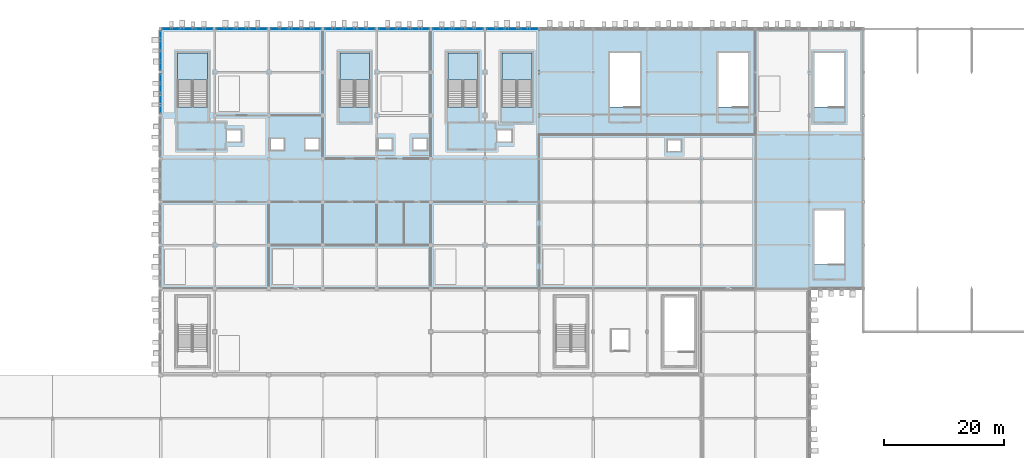
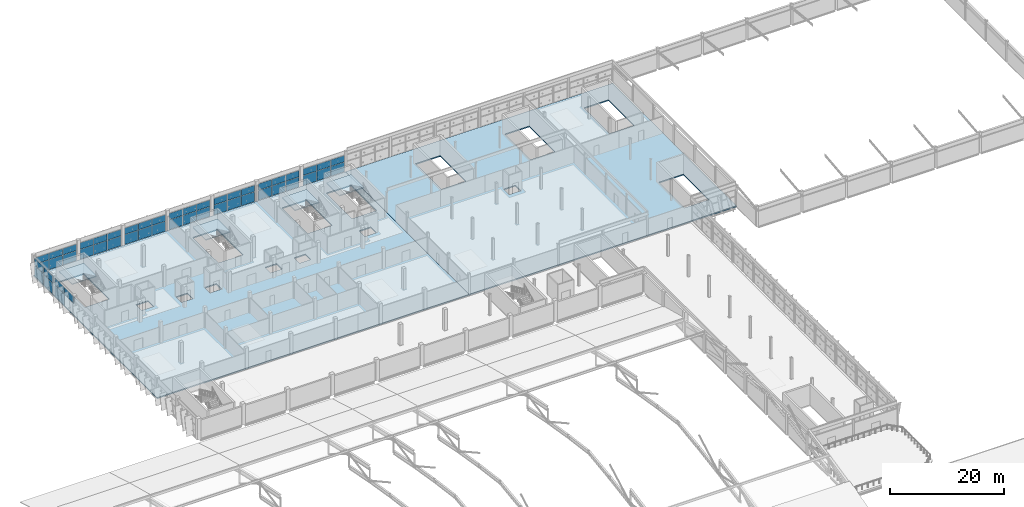
# One storey, part 78 of 124: 49 plates, 6 slabs, 13 elements without a shape of their own.
"""IFC4 building model written with IfcOpenShell, lengths in metres."""

from ifc_helpers import new_model, si_unit, direction, frame, origin, origin_2d, place, context, subcontext, project, spatial, polyline, rectangle, outline, extrude, material, layer, layer_set, type_object, element, aggregate, save


model = new_model("IFC4")

# Units and contexts
model_context = context("Model", 3, precision=1e-05, world=origin(), true_north=direction((0.0, 1.0)))
body_context = subcontext(model_context, "Body", "Model", "MODEL_VIEW")
ifc_project = project(units=[si_unit("LENGTHUNIT", "METRE"), si_unit("AREAUNIT", "SQUARE_METRE"), si_unit("VOLUMEUNIT", "CUBIC_METRE"), si_unit("PLANEANGLEUNIT", "RADIAN"), si_unit("MASSUNIT", "GRAM", prefix="KILO")], contexts=[model_context])

# Site, building, storey
site_placement = place(None, origin())
site = spatial("IfcSite", under=ifc_project, at=site_placement, CompositionType="ELEMENT")
building_placement = place(site_placement, origin())
building = spatial("IfcBuilding", under=site, at=building_placement, Name="Celestram Park Convention Centre", CompositionType="ELEMENT")
storey_placement = place(building_placement, frame((0.0, 0.0, 15.300048828125)))
storey = spatial("IfcBuildingStorey", under=building, at=storey_placement, Name="L03", CompositionType="ELEMENT", Elevation=15.300048828125)

# Curtain wall, plates
ifc_material_1 = material(Name="Anodised Aluminium Alloy 6063-T6", Category="aluminium")
ifc_layer_1 = layer(ifc_material_1, 0.179931640625)
ifc_layer_set_1 = layer_set([ifc_layer_1], Name="Anodised Aluminium Alloy 6063-T6")
curtain_wall_type_1 = type_object("IfcCurtainWallType", Name="ARC-CW-660X400", PredefinedType="NOTDEFINED", material=ifc_layer_set_1)
curtain_wall_1_placement = place(storey_placement, origin())
curtain_wall_1 = element("IfcCurtainWall", 1, at=curtain_wall_1_placement, inside=storey, type_object=curtain_wall_type_1, Name="Unitised curtain wall CU-L03-201", PredefinedType="NOTDEFINED")
ifc_material_2 = material(Name="Insulated Glazing Unit 28 mm", Category="glass")
ifc_layer_2 = layer(ifc_material_2, 0.028076171875)
ifc_layer_set_2 = layer_set([ifc_layer_2], Name="Insulated Glazing Unit 28 mm")
plate_type_1 = type_object("IfcPlateType", Name="ARC-CWP-IGU28", PredefinedType="CURTAIN_PANEL", material=ifc_layer_set_2)
plate_1_placement = place(storey_placement, frame((36.0, 153.165283203125, 2.43017578125), z_axis=(0.0, 0.0, 1.0), x_axis=(0.0, 1.0, 0.0)))
plate_1 = element("IfcPlate", 2, at=plate_1_placement, type_object=plate_type_1, Name="CW-66X40 panel 1.2", PredefinedType="CURTAIN_PANEL", context=body_context, shape_type="SweptSolid", body=[
    extrude(rectangle(XDim=3.20458984375, YDim=0.028076171875, at=origin_2d()), origin(), (0.0, 0.0, 1.0), 1.510009765625),
])
plate_2_placement = place(storey_placement, frame((36.0, 156.434814453125, 0.059814453125), z_axis=(0.0, 0.0, 1.0), x_axis=(0.0, 1.0, 0.0)))
plate_2 = element("IfcPlate", 3, at=plate_2_placement, type_object=plate_type_1, Name="CW-66X40 panel 2.1", PredefinedType="CURTAIN_PANEL", context=body_context, shape_type="SweptSolid", body=[
    extrude(rectangle(XDim=3.20458984375, YDim=0.028076171875, at=origin_2d()), origin(), (0.0, 0.0, 1.0), 2.31005859375),
])
plate_3_placement = place(storey_placement, frame((36.0, 156.434814453125, 2.43017578125), z_axis=(0.0, 0.0, 1.0), x_axis=(0.0, 1.0, 0.0)))
plate_3 = element("IfcPlate", 4, at=plate_3_placement, type_object=plate_type_1, Name="CW-66X40 panel 2.2", PredefinedType="CURTAIN_PANEL", context=body_context, shape_type="SweptSolid", body=[
    extrude(rectangle(XDim=3.20458984375, YDim=0.028076171875, at=origin_2d()), origin(), (0.0, 0.0, 1.0), 1.510009765625),
])
aggregate(curtain_wall_1, [plate_1, plate_2, plate_3])

ifc_layer_3 = layer(ifc_material_1, 0.179931640625)
ifc_layer_set_3 = layer_set([ifc_layer_3], Name="Anodised Aluminium Alloy 6063-T6")
curtain_wall_type_2 = type_object("IfcCurtainWallType", Name="ARC-CW-660X389", PredefinedType="NOTDEFINED", material=ifc_layer_set_3)
curtain_wall_2_placement = place(storey_placement, origin())
curtain_wall_2 = element("IfcCurtainWall", 5, at=curtain_wall_2_placement, inside=storey, type_object=curtain_wall_type_2, Name="Unitised curtain wall CU-L03-202", PredefinedType="NOTDEFINED")
plate_4_placement = place(storey_placement, frame((36.0, 160.365234375, 0.059814453125), z_axis=(0.0, 0.0, 1.0), x_axis=(0.0, 1.0, 0.0)))
plate_4 = element("IfcPlate", 6, at=plate_4_placement, type_object=plate_type_1, Name="CW-66X38 panel 1.1", PredefinedType="CURTAIN_PANEL", context=body_context, shape_type="SweptSolid", body=[
    extrude(rectangle(XDim=3.20458984375, YDim=0.028076171875, at=origin_2d()), origin(), (0.0, 0.0, 1.0), 2.24609375),
])
plate_5_placement = place(storey_placement, frame((36.0, 160.365234375, 2.36572265625), z_axis=(0.0, 0.0, 1.0), x_axis=(0.0, 1.0, 0.0)))
plate_5 = element("IfcPlate", 7, at=plate_5_placement, type_object=plate_type_1, Name="CW-66X38 panel 1.2", PredefinedType="CURTAIN_PANEL", context=body_context, shape_type="SweptSolid", body=[
    extrude(rectangle(XDim=3.20458984375, YDim=0.028076171875, at=origin_2d()), origin(), (0.0, 0.0, 1.0), 1.468017578125),
])
plate_6_placement = place(storey_placement, frame((36.0, 163.634765625, 0.059814453125), z_axis=(0.0, 0.0, 1.0), x_axis=(0.0, 1.0, 0.0)))
plate_6 = element("IfcPlate", 8, at=plate_6_placement, type_object=plate_type_1, Name="CW-66X38 panel 2.1", PredefinedType="CURTAIN_PANEL", context=body_context, shape_type="SweptSolid", body=[
    extrude(rectangle(XDim=3.20458984375, YDim=0.028076171875, at=origin_2d()), origin(), (0.0, 0.0, 1.0), 2.24609375),
])
plate_7_placement = place(storey_placement, frame((36.0, 163.634765625, 2.36572265625), z_axis=(0.0, 0.0, 1.0), x_axis=(0.0, 1.0, 0.0)))
plate_7 = element("IfcPlate", 9, at=plate_7_placement, type_object=plate_type_1, Name="CW-66X38 panel 2.2", PredefinedType="CURTAIN_PANEL", context=body_context, shape_type="SweptSolid", body=[
    extrude(rectangle(XDim=3.20458984375, YDim=0.028076171875, at=origin_2d()), origin(), (0.0, 0.0, 1.0), 1.468017578125),
])
aggregate(curtain_wall_2, [plate_4, plate_5, plate_6, plate_7])

ifc_layer_4 = layer(ifc_material_1, 0.179931640625)
ifc_layer_set_4 = layer_set([ifc_layer_4], Name="Anodised Aluminium Alloy 6063-T6")
curtain_wall_type_3 = type_object("IfcCurtainWallType", Name="ARC-CW-840X364", PredefinedType="NOTDEFINED", material=ifc_layer_set_4)
curtain_wall_3_placement = place(storey_placement, origin())
curtain_wall_3 = element("IfcCurtainWall", 10, at=curtain_wall_3_placement, inside=storey, type_object=curtain_wall_type_3, Name="Unitised curtain wall CU-L03-203", PredefinedType="NOTDEFINED")
ifc_material_3 = material(Name="Insulated Glazing Unit 38 mm", Category="glass")
ifc_layer_5 = layer(ifc_material_3, 0.0380859375)
ifc_layer_set_5 = layer_set([ifc_layer_5], Name="Insulated Glazing Unit 38 mm")
plate_type_2 = type_object("IfcPlateType", Name="ARC-CWP-IGU38", PredefinedType="CURTAIN_PANEL", material=ifc_layer_set_5)
plate_8_placement = place(storey_placement, frame((37.717529296875, 165.60009765625, 0.06494140625), z_axis=(0.0, 0.0, 1.0), x_axis=(1.0, 0.0, 0.0)))
plate_8 = element("IfcPlate", 11, at=plate_8_placement, type_object=plate_type_2, Name="CW-84X36 panel 1.1", PredefinedType="CURTAIN_PANEL", context=body_context, shape_type="SweptSolid", body=[
    extrude(rectangle(XDim=2.688720703125, YDim=0.0380859375, at=origin_2d()), origin(), (0.0, 0.0, 1.0), 2.08544921875),
])
plate_9_placement = place(storey_placement, frame((37.717529296875, 165.60009765625, 2.215576171875), z_axis=(0.0, 0.0, 1.0), x_axis=(1.0, 0.0, 0.0)))
plate_9 = element("IfcPlate", 12, at=plate_9_placement, type_object=plate_type_2, Name="CW-84X36 panel 1.2", PredefinedType="CURTAIN_PANEL", context=body_context, shape_type="SweptSolid", body=[
    extrude(rectangle(XDim=2.688720703125, YDim=0.0380859375, at=origin_2d()), origin(), (0.0, 0.0, 1.0), 1.357421875),
])
plate_10_placement = place(storey_placement, frame((40.5, 165.60009765625, 0.06494140625), z_axis=(0.0, 0.0, 1.0), x_axis=(1.0, 0.0, 0.0)))
plate_10 = element("IfcPlate", 13, at=plate_10_placement, type_object=plate_type_2, Name="CW-84X36 panel 2.1", PredefinedType="CURTAIN_PANEL", context=body_context, shape_type="SweptSolid", body=[
    extrude(rectangle(XDim=2.726318359375, YDim=0.0380859375, at=origin_2d()), origin(), (0.0, 0.0, 1.0), 2.08544921875),
])
plate_11_placement = place(storey_placement, frame((40.5, 165.60009765625, 2.215576171875), z_axis=(0.0, 0.0, 1.0), x_axis=(1.0, 0.0, 0.0)))
plate_11 = element("IfcPlate", 14, at=plate_11_placement, type_object=plate_type_2, Name="CW-84X36 panel 2.2", PredefinedType="CURTAIN_PANEL", context=body_context, shape_type="SweptSolid", body=[
    extrude(rectangle(XDim=2.726318359375, YDim=0.0380859375, at=origin_2d()), origin(), (0.0, 0.0, 1.0), 1.357421875),
])
plate_12_placement = place(storey_placement, frame((43.282470703125, 165.60009765625, 0.06494140625), z_axis=(0.0, 0.0, 1.0), x_axis=(1.0, 0.0, 0.0)))
plate_12 = element("IfcPlate", 15, at=plate_12_placement, type_object=plate_type_2, Name="CW-84X36 panel 3.1", PredefinedType="CURTAIN_PANEL", context=body_context, shape_type="SweptSolid", body=[
    extrude(rectangle(XDim=2.688720703125, YDim=0.0380859375, at=origin_2d()), origin(), (0.0, 0.0, 1.0), 2.08544921875),
])
plate_13_placement = place(storey_placement, frame((43.282470703125, 165.60009765625, 2.215576171875), z_axis=(0.0, 0.0, 1.0), x_axis=(1.0, 0.0, 0.0)))
plate_13 = element("IfcPlate", 16, at=plate_13_placement, type_object=plate_type_2, Name="CW-84X36 panel 3.2", PredefinedType="CURTAIN_PANEL", context=body_context, shape_type="SweptSolid", body=[
    extrude(rectangle(XDim=2.688720703125, YDim=0.0380859375, at=origin_2d()), origin(), (0.0, 0.0, 1.0), 1.357421875),
])
aggregate(curtain_wall_3, [plate_8, plate_9, plate_10, plate_11, plate_12, plate_13])

curtain_wall_4_placement = place(storey_placement, origin())
curtain_wall_4 = element("IfcCurtainWall", 17, at=curtain_wall_4_placement, inside=storey, type_object=curtain_wall_type_3, Name="Unitised curtain wall CU-L03-204", PredefinedType="NOTDEFINED")
plate_14_placement = place(storey_placement, frame((46.717529296875, 165.60009765625, 0.06494140625), z_axis=(0.0, 0.0, 1.0), x_axis=(1.0, 0.0, 0.0)))
plate_14 = element("IfcPlate", 18, at=plate_14_placement, type_object=plate_type_2, Name="CW-84X36 panel 1.1", PredefinedType="CURTAIN_PANEL", context=body_context, shape_type="SweptSolid", body=[
    extrude(rectangle(XDim=2.688720703125, YDim=0.0380859375, at=origin_2d()), origin(), (0.0, 0.0, 1.0), 2.08544921875),
])
plate_15_placement = place(storey_placement, frame((46.717529296875, 165.60009765625, 2.215576171875), z_axis=(0.0, 0.0, 1.0), x_axis=(1.0, 0.0, 0.0)))
plate_15 = element("IfcPlate", 19, at=plate_15_placement, type_object=plate_type_2, Name="CW-84X36 panel 1.2", PredefinedType="CURTAIN_PANEL", context=body_context, shape_type="SweptSolid", body=[
    extrude(rectangle(XDim=2.688720703125, YDim=0.0380859375, at=origin_2d()), origin(), (0.0, 0.0, 1.0), 1.357421875),
])
plate_16_placement = place(storey_placement, frame((49.5, 165.60009765625, 0.06494140625), z_axis=(0.0, 0.0, 1.0), x_axis=(1.0, 0.0, 0.0)))
plate_16 = element("IfcPlate", 20, at=plate_16_placement, type_object=plate_type_2, Name="CW-84X36 panel 2.1", PredefinedType="CURTAIN_PANEL", context=body_context, shape_type="SweptSolid", body=[
    extrude(rectangle(XDim=2.726318359375, YDim=0.0380859375, at=origin_2d()), origin(), (0.0, 0.0, 1.0), 2.08544921875),
])
plate_17_placement = place(storey_placement, frame((49.5, 165.60009765625, 2.215576171875), z_axis=(0.0, 0.0, 1.0), x_axis=(1.0, 0.0, 0.0)))
plate_17 = element("IfcPlate", 21, at=plate_17_placement, type_object=plate_type_2, Name="CW-84X36 panel 2.2", PredefinedType="CURTAIN_PANEL", context=body_context, shape_type="SweptSolid", body=[
    extrude(rectangle(XDim=2.726318359375, YDim=0.0380859375, at=origin_2d()), origin(), (0.0, 0.0, 1.0), 1.357421875),
])
plate_18_placement = place(storey_placement, frame((52.282470703125, 165.60009765625, 0.06494140625), z_axis=(0.0, 0.0, 1.0), x_axis=(1.0, 0.0, 0.0)))
plate_18 = element("IfcPlate", 22, at=plate_18_placement, type_object=plate_type_2, Name="CW-84X36 panel 3.1", PredefinedType="CURTAIN_PANEL", context=body_context, shape_type="SweptSolid", body=[
    extrude(rectangle(XDim=2.688720703125, YDim=0.0380859375, at=origin_2d()), origin(), (0.0, 0.0, 1.0), 2.08544921875),
])
plate_19_placement = place(storey_placement, frame((52.282470703125, 165.60009765625, 2.215576171875), z_axis=(0.0, 0.0, 1.0), x_axis=(1.0, 0.0, 0.0)))
plate_19 = element("IfcPlate", 23, at=plate_19_placement, type_object=plate_type_2, Name="CW-84X36 panel 3.2", PredefinedType="CURTAIN_PANEL", context=body_context, shape_type="SweptSolid", body=[
    extrude(rectangle(XDim=2.688720703125, YDim=0.0380859375, at=origin_2d()), origin(), (0.0, 0.0, 1.0), 1.357421875),
])
aggregate(curtain_wall_4, [plate_14, plate_15, plate_16, plate_17, plate_18, plate_19])

curtain_wall_5_placement = place(storey_placement, origin())
curtain_wall_5 = element("IfcCurtainWall", 24, at=curtain_wall_5_placement, inside=storey, type_object=curtain_wall_type_3, Name="Unitised curtain wall CU-L03-205", PredefinedType="NOTDEFINED")
plate_20_placement = place(storey_placement, frame((55.717529296875, 165.60009765625, 0.06494140625), z_axis=(0.0, 0.0, 1.0), x_axis=(1.0, 0.0, 0.0)))
plate_20 = element("IfcPlate", 25, at=plate_20_placement, type_object=plate_type_2, Name="CW-84X36 panel 1.1", PredefinedType="CURTAIN_PANEL", context=body_context, shape_type="SweptSolid", body=[
    extrude(rectangle(XDim=2.688720703125, YDim=0.0380859375, at=origin_2d()), origin(), (0.0, 0.0, 1.0), 2.08544921875),
])
plate_21_placement = place(storey_placement, frame((55.717529296875, 165.60009765625, 2.215576171875), z_axis=(0.0, 0.0, 1.0), x_axis=(1.0, 0.0, 0.0)))
plate_21 = element("IfcPlate", 26, at=plate_21_placement, type_object=plate_type_2, Name="CW-84X36 panel 1.2", PredefinedType="CURTAIN_PANEL", context=body_context, shape_type="SweptSolid", body=[
    extrude(rectangle(XDim=2.688720703125, YDim=0.0380859375, at=origin_2d()), origin(), (0.0, 0.0, 1.0), 1.357421875),
])
plate_22_placement = place(storey_placement, frame((58.5, 165.60009765625, 0.06494140625), z_axis=(0.0, 0.0, 1.0), x_axis=(1.0, 0.0, 0.0)))
plate_22 = element("IfcPlate", 27, at=plate_22_placement, type_object=plate_type_2, Name="CW-84X36 panel 2.1", PredefinedType="CURTAIN_PANEL", context=body_context, shape_type="SweptSolid", body=[
    extrude(rectangle(XDim=2.726318359375, YDim=0.0380859375, at=origin_2d()), origin(), (0.0, 0.0, 1.0), 2.08544921875),
])
plate_23_placement = place(storey_placement, frame((58.5, 165.60009765625, 2.215576171875), z_axis=(0.0, 0.0, 1.0), x_axis=(1.0, 0.0, 0.0)))
plate_23 = element("IfcPlate", 28, at=plate_23_placement, type_object=plate_type_2, Name="CW-84X36 panel 2.2", PredefinedType="CURTAIN_PANEL", context=body_context, shape_type="SweptSolid", body=[
    extrude(rectangle(XDim=2.726318359375, YDim=0.0380859375, at=origin_2d()), origin(), (0.0, 0.0, 1.0), 1.357421875),
])
plate_24_placement = place(storey_placement, frame((61.282470703125, 165.60009765625, 0.06494140625), z_axis=(0.0, 0.0, 1.0), x_axis=(1.0, 0.0, 0.0)))
plate_24 = element("IfcPlate", 29, at=plate_24_placement, type_object=plate_type_2, Name="CW-84X36 panel 3.1", PredefinedType="CURTAIN_PANEL", context=body_context, shape_type="SweptSolid", body=[
    extrude(rectangle(XDim=2.688720703125, YDim=0.0380859375, at=origin_2d()), origin(), (0.0, 0.0, 1.0), 2.08544921875),
])
plate_25_placement = place(storey_placement, frame((61.282470703125, 165.60009765625, 2.215576171875), z_axis=(0.0, 0.0, 1.0), x_axis=(1.0, 0.0, 0.0)))
plate_25 = element("IfcPlate", 30, at=plate_25_placement, type_object=plate_type_2, Name="CW-84X36 panel 3.2", PredefinedType="CURTAIN_PANEL", context=body_context, shape_type="SweptSolid", body=[
    extrude(rectangle(XDim=2.688720703125, YDim=0.0380859375, at=origin_2d()), origin(), (0.0, 0.0, 1.0), 1.357421875),
])
aggregate(curtain_wall_5, [plate_20, plate_21, plate_22, plate_23, plate_24, plate_25])

curtain_wall_6_placement = place(storey_placement, origin())
curtain_wall_6 = element("IfcCurtainWall", 31, at=curtain_wall_6_placement, inside=storey, type_object=curtain_wall_type_3, Name="Unitised curtain wall CU-L03-206", PredefinedType="NOTDEFINED")
plate_26_placement = place(storey_placement, frame((64.717529296875, 165.60009765625, 0.06494140625), z_axis=(0.0, 0.0, 1.0), x_axis=(1.0, 0.0, 0.0)))
plate_26 = element("IfcPlate", 32, at=plate_26_placement, type_object=plate_type_2, Name="CW-84X36 panel 1.1", PredefinedType="CURTAIN_PANEL", context=body_context, shape_type="SweptSolid", body=[
    extrude(rectangle(XDim=2.688720703125, YDim=0.0380859375, at=origin_2d()), origin(), (0.0, 0.0, 1.0), 2.08544921875),
])
plate_27_placement = place(storey_placement, frame((64.717529296875, 165.60009765625, 2.215576171875), z_axis=(0.0, 0.0, 1.0), x_axis=(1.0, 0.0, 0.0)))
plate_27 = element("IfcPlate", 33, at=plate_27_placement, type_object=plate_type_2, Name="CW-84X36 panel 1.2", PredefinedType="CURTAIN_PANEL", context=body_context, shape_type="SweptSolid", body=[
    extrude(rectangle(XDim=2.688720703125, YDim=0.0380859375, at=origin_2d()), origin(), (0.0, 0.0, 1.0), 1.357421875),
])
plate_28_placement = place(storey_placement, frame((67.5, 165.60009765625, 0.06494140625), z_axis=(0.0, 0.0, 1.0), x_axis=(1.0, 0.0, 0.0)))
plate_28 = element("IfcPlate", 34, at=plate_28_placement, type_object=plate_type_2, Name="CW-84X36 panel 2.1", PredefinedType="CURTAIN_PANEL", context=body_context, shape_type="SweptSolid", body=[
    extrude(rectangle(XDim=2.726318359375, YDim=0.0380859375, at=origin_2d()), origin(), (0.0, 0.0, 1.0), 2.08544921875),
])
plate_29_placement = place(storey_placement, frame((67.5, 165.60009765625, 2.215576171875), z_axis=(0.0, 0.0, 1.0), x_axis=(1.0, 0.0, 0.0)))
plate_29 = element("IfcPlate", 35, at=plate_29_placement, type_object=plate_type_2, Name="CW-84X36 panel 2.2", PredefinedType="CURTAIN_PANEL", context=body_context, shape_type="SweptSolid", body=[
    extrude(rectangle(XDim=2.726318359375, YDim=0.0380859375, at=origin_2d()), origin(), (0.0, 0.0, 1.0), 1.357421875),
])
plate_30_placement = place(storey_placement, frame((70.282470703125, 165.60009765625, 0.06494140625), z_axis=(0.0, 0.0, 1.0), x_axis=(1.0, 0.0, 0.0)))
plate_30 = element("IfcPlate", 36, at=plate_30_placement, type_object=plate_type_2, Name="CW-84X36 panel 3.1", PredefinedType="CURTAIN_PANEL", context=body_context, shape_type="SweptSolid", body=[
    extrude(rectangle(XDim=2.688720703125, YDim=0.0380859375, at=origin_2d()), origin(), (0.0, 0.0, 1.0), 2.08544921875),
])
plate_31_placement = place(storey_placement, frame((70.282470703125, 165.60009765625, 2.215576171875), z_axis=(0.0, 0.0, 1.0), x_axis=(1.0, 0.0, 0.0)))
plate_31 = element("IfcPlate", 37, at=plate_31_placement, type_object=plate_type_2, Name="CW-84X36 panel 3.2", PredefinedType="CURTAIN_PANEL", context=body_context, shape_type="SweptSolid", body=[
    extrude(rectangle(XDim=2.688720703125, YDim=0.0380859375, at=origin_2d()), origin(), (0.0, 0.0, 1.0), 1.357421875),
])
aggregate(curtain_wall_6, [plate_26, plate_27, plate_28, plate_29, plate_30, plate_31])

curtain_wall_7_placement = place(storey_placement, origin())
curtain_wall_7 = element("IfcCurtainWall", 38, at=curtain_wall_7_placement, inside=storey, type_object=curtain_wall_type_3, Name="Unitised curtain wall CU-L03-207", PredefinedType="NOTDEFINED")
plate_32_placement = place(storey_placement, frame((73.717529296875, 165.60009765625, 0.06494140625), z_axis=(0.0, 0.0, 1.0), x_axis=(1.0, 0.0, 0.0)))
plate_32 = element("IfcPlate", 39, at=plate_32_placement, type_object=plate_type_2, Name="CW-84X36 panel 1.1", PredefinedType="CURTAIN_PANEL", context=body_context, shape_type="SweptSolid", body=[
    extrude(rectangle(XDim=2.688720703125, YDim=0.0380859375, at=origin_2d()), origin(), (0.0, 0.0, 1.0), 2.08544921875),
])
plate_33_placement = place(storey_placement, frame((73.717529296875, 165.60009765625, 2.215576171875), z_axis=(0.0, 0.0, 1.0), x_axis=(1.0, 0.0, 0.0)))
plate_33 = element("IfcPlate", 40, at=plate_33_placement, type_object=plate_type_2, Name="CW-84X36 panel 1.2", PredefinedType="CURTAIN_PANEL", context=body_context, shape_type="SweptSolid", body=[
    extrude(rectangle(XDim=2.688720703125, YDim=0.0380859375, at=origin_2d()), origin(), (0.0, 0.0, 1.0), 1.357421875),
])
plate_34_placement = place(storey_placement, frame((76.5, 165.60009765625, 0.06494140625), z_axis=(0.0, 0.0, 1.0), x_axis=(1.0, 0.0, 0.0)))
plate_34 = element("IfcPlate", 41, at=plate_34_placement, type_object=plate_type_2, Name="CW-84X36 panel 2.1", PredefinedType="CURTAIN_PANEL", context=body_context, shape_type="SweptSolid", body=[
    extrude(rectangle(XDim=2.726318359375, YDim=0.0380859375, at=origin_2d()), origin(), (0.0, 0.0, 1.0), 2.08544921875),
])
plate_35_placement = place(storey_placement, frame((76.5, 165.60009765625, 2.215576171875), z_axis=(0.0, 0.0, 1.0), x_axis=(1.0, 0.0, 0.0)))
plate_35 = element("IfcPlate", 42, at=plate_35_placement, type_object=plate_type_2, Name="CW-84X36 panel 2.2", PredefinedType="CURTAIN_PANEL", context=body_context, shape_type="SweptSolid", body=[
    extrude(rectangle(XDim=2.726318359375, YDim=0.0380859375, at=origin_2d()), origin(), (0.0, 0.0, 1.0), 1.357421875),
])
plate_36_placement = place(storey_placement, frame((79.282470703125, 165.60009765625, 0.06494140625), z_axis=(0.0, 0.0, 1.0), x_axis=(1.0, 0.0, 0.0)))
plate_36 = element("IfcPlate", 43, at=plate_36_placement, type_object=plate_type_2, Name="CW-84X36 panel 3.1", PredefinedType="CURTAIN_PANEL", context=body_context, shape_type="SweptSolid", body=[
    extrude(rectangle(XDim=2.688720703125, YDim=0.0380859375, at=origin_2d()), origin(), (0.0, 0.0, 1.0), 2.08544921875),
])
plate_37_placement = place(storey_placement, frame((79.282470703125, 165.60009765625, 2.215576171875), z_axis=(0.0, 0.0, 1.0), x_axis=(1.0, 0.0, 0.0)))
plate_37 = element("IfcPlate", 44, at=plate_37_placement, type_object=plate_type_2, Name="CW-84X36 panel 3.2", PredefinedType="CURTAIN_PANEL", context=body_context, shape_type="SweptSolid", body=[
    extrude(rectangle(XDim=2.688720703125, YDim=0.0380859375, at=origin_2d()), origin(), (0.0, 0.0, 1.0), 1.357421875),
])
aggregate(curtain_wall_7, [plate_32, plate_33, plate_34, plate_35, plate_36, plate_37])

curtain_wall_8_placement = place(storey_placement, origin())
curtain_wall_8 = element("IfcCurtainWall", 45, at=curtain_wall_8_placement, inside=storey, type_object=curtain_wall_type_3, Name="Unitised curtain wall CU-L03-208", PredefinedType="NOTDEFINED")
plate_38_placement = place(storey_placement, frame((82.717529296875, 165.60009765625, 0.06494140625), z_axis=(0.0, 0.0, 1.0), x_axis=(1.0, 0.0, 0.0)))
plate_38 = element("IfcPlate", 46, at=plate_38_placement, type_object=plate_type_2, Name="CW-84X36 panel 1.1", PredefinedType="CURTAIN_PANEL", context=body_context, shape_type="SweptSolid", body=[
    extrude(rectangle(XDim=2.688720703125, YDim=0.0380859375, at=origin_2d()), origin(), (0.0, 0.0, 1.0), 2.08544921875),
])
plate_39_placement = place(storey_placement, frame((82.717529296875, 165.60009765625, 2.215576171875), z_axis=(0.0, 0.0, 1.0), x_axis=(1.0, 0.0, 0.0)))
plate_39 = element("IfcPlate", 47, at=plate_39_placement, type_object=plate_type_2, Name="CW-84X36 panel 1.2", PredefinedType="CURTAIN_PANEL", context=body_context, shape_type="SweptSolid", body=[
    extrude(rectangle(XDim=2.688720703125, YDim=0.0380859375, at=origin_2d()), origin(), (0.0, 0.0, 1.0), 1.357421875),
])
plate_40_placement = place(storey_placement, frame((85.5, 165.60009765625, 0.06494140625), z_axis=(0.0, 0.0, 1.0), x_axis=(1.0, 0.0, 0.0)))
plate_40 = element("IfcPlate", 48, at=plate_40_placement, type_object=plate_type_2, Name="CW-84X36 panel 2.1", PredefinedType="CURTAIN_PANEL", context=body_context, shape_type="SweptSolid", body=[
    extrude(rectangle(XDim=2.726318359375, YDim=0.0380859375, at=origin_2d()), origin(), (0.0, 0.0, 1.0), 2.08544921875),
])
plate_41_placement = place(storey_placement, frame((85.5, 165.60009765625, 2.215576171875), z_axis=(0.0, 0.0, 1.0), x_axis=(1.0, 0.0, 0.0)))
plate_41 = element("IfcPlate", 49, at=plate_41_placement, type_object=plate_type_2, Name="CW-84X36 panel 2.2", PredefinedType="CURTAIN_PANEL", context=body_context, shape_type="SweptSolid", body=[
    extrude(rectangle(XDim=2.726318359375, YDim=0.0380859375, at=origin_2d()), origin(), (0.0, 0.0, 1.0), 1.357421875),
])
plate_42_placement = place(storey_placement, frame((88.282470703125, 165.60009765625, 0.06494140625), z_axis=(0.0, 0.0, 1.0), x_axis=(1.0, 0.0, 0.0)))
plate_42 = element("IfcPlate", 50, at=plate_42_placement, type_object=plate_type_2, Name="CW-84X36 panel 3.1", PredefinedType="CURTAIN_PANEL", context=body_context, shape_type="SweptSolid", body=[
    extrude(rectangle(XDim=2.688720703125, YDim=0.0380859375, at=origin_2d()), origin(), (0.0, 0.0, 1.0), 2.08544921875),
])
plate_43_placement = place(storey_placement, frame((88.282470703125, 165.60009765625, 2.215576171875), z_axis=(0.0, 0.0, 1.0), x_axis=(1.0, 0.0, 0.0)))
plate_43 = element("IfcPlate", 51, at=plate_43_placement, type_object=plate_type_2, Name="CW-84X36 panel 3.2", PredefinedType="CURTAIN_PANEL", context=body_context, shape_type="SweptSolid", body=[
    extrude(rectangle(XDim=2.688720703125, YDim=0.0380859375, at=origin_2d()), origin(), (0.0, 0.0, 1.0), 1.357421875),
])
aggregate(curtain_wall_8, [plate_38, plate_39, plate_40, plate_41, plate_42, plate_43])

ifc_layer_6 = layer(ifc_material_1, 0.179931640625)
ifc_layer_set_6 = layer_set([ifc_layer_6], Name="Anodised Aluminium Alloy 6063-T6")
curtain_wall_type_4 = type_object("IfcCurtainWallType", Name="ARC-CW-853X364", PredefinedType="NOTDEFINED", material=ifc_layer_set_6)
curtain_wall_9_placement = place(storey_placement, origin())
curtain_wall_9 = element("IfcCurtainWall", 52, at=curtain_wall_9_placement, inside=storey, type_object=curtain_wall_type_4, Name="Unitised curtain wall CU-L03-209", PredefinedType="NOTDEFINED")
plate_44_placement = place(storey_placement, frame((91.73828125, 165.60009765625, 0.06494140625), z_axis=(0.0, 0.0, 1.0), x_axis=(1.0, 0.0, 0.0)))
plate_44 = element("IfcPlate", 53, at=plate_44_placement, type_object=plate_type_2, Name="CW-85X36 panel 1.1", PredefinedType="CURTAIN_PANEL", context=body_context, shape_type="SweptSolid", body=[
    extrude(rectangle(XDim=2.73046875, YDim=0.0380859375, at=origin_2d()), origin(), (0.0, 0.0, 1.0), 2.08544921875),
])
plate_45_placement = place(storey_placement, frame((91.73828125, 165.60009765625, 2.215576171875), z_axis=(0.0, 0.0, 1.0), x_axis=(1.0, 0.0, 0.0)))
plate_45 = element("IfcPlate", 54, at=plate_45_placement, type_object=plate_type_2, Name="CW-85X36 panel 1.2", PredefinedType="CURTAIN_PANEL", context=body_context, shape_type="SweptSolid", body=[
    extrude(rectangle(XDim=2.73046875, YDim=0.0380859375, at=origin_2d()), origin(), (0.0, 0.0, 1.0), 1.357421875),
])
plate_46_placement = place(storey_placement, frame((94.5625, 165.60009765625, 0.06494140625), z_axis=(0.0, 0.0, 1.0), x_axis=(1.0, 0.0, 0.0)))
plate_46 = element("IfcPlate", 55, at=plate_46_placement, type_object=plate_type_2, Name="CW-85X36 panel 2.1", PredefinedType="CURTAIN_PANEL", context=body_context, shape_type="SweptSolid", body=[
    extrude(rectangle(XDim=2.76806640625, YDim=0.0380859375, at=origin_2d()), origin(), (0.0, 0.0, 1.0), 2.08544921875),
])
plate_47_placement = place(storey_placement, frame((94.5625, 165.60009765625, 2.215576171875), z_axis=(0.0, 0.0, 1.0), x_axis=(1.0, 0.0, 0.0)))
plate_47 = element("IfcPlate", 56, at=plate_47_placement, type_object=plate_type_2, Name="CW-85X36 panel 2.2", PredefinedType="CURTAIN_PANEL", context=body_context, shape_type="SweptSolid", body=[
    extrude(rectangle(XDim=2.76806640625, YDim=0.0380859375, at=origin_2d()), origin(), (0.0, 0.0, 1.0), 1.357421875),
])
plate_48_placement = place(storey_placement, frame((97.38671875, 165.60009765625, 0.06494140625), z_axis=(0.0, 0.0, 1.0), x_axis=(1.0, 0.0, 0.0)))
plate_48 = element("IfcPlate", 57, at=plate_48_placement, type_object=plate_type_2, Name="CW-85X36 panel 3.1", PredefinedType="CURTAIN_PANEL", context=body_context, shape_type="SweptSolid", body=[
    extrude(rectangle(XDim=2.73046875, YDim=0.0380859375, at=origin_2d()), origin(), (0.0, 0.0, 1.0), 2.08544921875),
])
plate_49_placement = place(storey_placement, frame((97.38671875, 165.60009765625, 2.215576171875), z_axis=(0.0, 0.0, 1.0), x_axis=(1.0, 0.0, 0.0)))
plate_49 = element("IfcPlate", 58, at=plate_49_placement, type_object=plate_type_2, Name="CW-85X36 panel 3.2", PredefinedType="CURTAIN_PANEL", context=body_context, shape_type="SweptSolid", body=[
    extrude(rectangle(XDim=2.73046875, YDim=0.0380859375, at=origin_2d()), origin(), (0.0, 0.0, 1.0), 1.357421875),
])
aggregate(curtain_wall_9, [plate_44, plate_45, plate_46, plate_47, plate_48, plate_49])

# Slabs
ifc_material_4 = material(Name="Concrete C35/45", Category="concrete")
ifc_layer_7 = layer(ifc_material_4, 0.25)
ifc_layer_set_7 = layer_set([ifc_layer_7], Name="Concrete C35/45")
slab_type_1 = type_object("IfcSlabType", Name="STR-SLB-FLR250", PredefinedType="FLOOR", material=ifc_layer_set_7)
slab_1_placement = place(storey_placement, frame((0.0, 0.0, -0.25)))
element("IfcSlab", 59, at=slab_1_placement, inside=storey, type_object=slab_type_1, Name="Floor slab L03-MTG", PredefinedType="FLOOR", context=body_context, shape_type="SweptSolid", body=[
    extrude(outline(polyline([(36.0, 122.39990234375), (36.0, 165.60009765625), (99.0, 165.60009765625), (99.0, 122.39990234375), (36.0, 122.39990234375)]), holes=[polyline([(56.550048828125, 145.449951171875), (56.550048828125, 147.35009765625), (54.25, 147.35009765625), (54.25, 145.449951171875), (56.550048828125, 145.449951171875)]), polyline([(62.35009765625, 145.449951171875), (62.35009765625, 147.35009765625), (60.050048828125, 147.35009765625), (60.050048828125, 145.449951171875), (62.35009765625, 145.449951171875)]), polyline([(72.25, 145.449951171875), (74.550048828125, 145.449951171875), (74.550048828125, 147.35009765625), (72.25, 147.35009765625), (72.25, 145.449951171875)]), polyline([(78.050048828125, 145.449951171875), (80.35009765625, 145.449951171875), (80.35009765625, 147.35009765625), (78.050048828125, 147.35009765625), (78.050048828125, 145.449951171875)]), polyline([(49.39990234375, 146.824951171875), (49.39990234375, 148.77490234375), (47.0, 148.77490234375), (47.0, 146.824951171875), (49.39990234375, 146.824951171875)]), polyline([(94.39990234375, 146.824951171875), (94.39990234375, 148.77490234375), (92.0, 148.77490234375), (92.0, 146.824951171875), (94.39990234375, 146.824951171875)]), polyline([(43.800048828125, 161.60009765625), (38.840087890625, 161.60009765625), (38.840087890625, 152.60595703125), (43.800048828125, 152.60595703125), (43.800048828125, 161.60009765625)]), polyline([(70.800048828125, 152.60595703125), (70.800048828125, 161.60009765625), (65.840087890625, 161.60009765625), (65.840087890625, 152.60595703125), (70.800048828125, 152.60595703125)]), polyline([(88.800048828125, 152.60595703125), (88.800048828125, 161.60009765625), (83.840087890625, 161.60009765625), (83.840087890625, 152.60595703125), (88.800048828125, 152.60595703125)]), polyline([(97.800048828125, 161.60009765625), (92.840087890625, 161.60009765625), (92.840087890625, 152.60595703125), (97.800048828125, 152.60595703125), (97.800048828125, 161.60009765625)])]), origin(), (0.0, 0.0, 1.0), 0.25),
])
slab_2_placement = place(storey_placement, frame((0.0, 0.0, -0.25)))
element("IfcSlab", 60, at=slab_2_placement, inside=storey, type_object=slab_type_1, Name="Floor slab L03-RST", PredefinedType="FLOOR", context=body_context, shape_type="SweptSolid", body=[
    extrude(outline(polyline([(99.0, 122.39990234375), (99.0, 165.60009765625), (153.0, 165.60009765625), (153.0, 122.39990234375), (99.0, 122.39990234375)]), holes=[polyline([(149.800048828125, 126.406005859375), (149.800048828125, 135.39990234375), (144.840087890625, 135.39990234375), (144.840087890625, 126.406005859375), (149.800048828125, 126.406005859375)]), polyline([(120.35009765625, 145.25), (122.64990234375, 145.25), (122.64990234375, 147.14990234375), (120.35009765625, 147.14990234375), (120.35009765625, 145.25)]), polyline([(115.800048828125, 161.60009765625), (110.840087890625, 161.60009765625), (110.840087890625, 152.60595703125), (115.800048828125, 152.60595703125), (115.800048828125, 161.60009765625)]), polyline([(133.800048828125, 152.60595703125), (133.800048828125, 161.60009765625), (128.840087890625, 161.60009765625), (128.840087890625, 152.60595703125), (133.800048828125, 152.60595703125)]), polyline([(149.800048828125, 152.60595703125), (149.800048828125, 161.60009765625), (144.840087890625, 161.60009765625), (144.840087890625, 152.60595703125), (149.800048828125, 152.60595703125)])]), origin(), (0.0, 0.0, 1.0), 0.25),
])

# Stair, slab
ifc_material_5 = material(Name="Precast Concrete C40/50", Category="concrete")
stair_type = type_object("IfcStairType", Name="ARC-STR-DOG45", PredefinedType="HALF_TURN_STAIR", material=ifc_material_5)
stair_1_placement = place(storey_placement, origin())
stair_1 = element("IfcStair", 61, at=stair_1_placement, inside=storey, type_object=stair_type, Name="L03 Core C1 stair ST-01", PredefinedType="HALF_TURN_STAIR")
ifc_layer_8 = layer(ifc_material_4, 0.199951171875)
ifc_layer_set_8 = layer_set([ifc_layer_8], Name="Concrete C35/45")
slab_type_2 = type_object("IfcSlabType", Name="STR-SLB-LND200", PredefinedType="LANDING", material=ifc_layer_set_8)
slab_3_placement = place(storey_placement, frame((0.0, 0.0, 2.050048828125)))
slab_3 = element("IfcSlab", 62, at=slab_3_placement, type_object=slab_type_2, Name="ST-01 landing 1", PredefinedType="LANDING", context=body_context, shape_type="SweptSolid", body=[
    extrude(outline(polyline([(43.800048828125, 157.073974609375), (43.800048828125, 161.60009765625), (38.840087890625, 161.60009765625), (38.840087890625, 157.073974609375), (43.800048828125, 157.073974609375)])), origin(), (0.0, 0.0, 1.0), 0.199951171875),
])
aggregate(stair_1, [slab_3])

stair_2_placement = place(storey_placement, origin())
stair_2 = element("IfcStair", 63, at=stair_2_placement, inside=storey, type_object=stair_type, Name="L03 Core C2 stair ST-02", PredefinedType="HALF_TURN_STAIR")
slab_4_placement = place(storey_placement, frame((0.0, 0.0, 2.050048828125)))
slab_4 = element("IfcSlab", 64, at=slab_4_placement, type_object=slab_type_2, Name="ST-02 landing 1", PredefinedType="LANDING", context=body_context, shape_type="SweptSolid", body=[
    extrude(outline(polyline([(88.800048828125, 157.073974609375), (88.800048828125, 161.60009765625), (83.840087890625, 161.60009765625), (83.840087890625, 157.073974609375), (88.800048828125, 157.073974609375)])), origin(), (0.0, 0.0, 1.0), 0.199951171875),
])
aggregate(stair_2, [slab_4])

stair_3_placement = place(storey_placement, origin())
stair_3 = element("IfcStair", 65, at=stair_3_placement, inside=storey, type_object=stair_type, Name="L03 Core S14 stair ST-14", PredefinedType="HALF_TURN_STAIR")
slab_5_placement = place(storey_placement, frame((0.0, 0.0, 2.050048828125)))
slab_5 = element("IfcSlab", 66, at=slab_5_placement, type_object=slab_type_2, Name="ST-14 landing 1", PredefinedType="LANDING", context=body_context, shape_type="SweptSolid", body=[
    extrude(outline(polyline([(70.800048828125, 157.073974609375), (70.800048828125, 161.60009765625), (65.840087890625, 161.60009765625), (65.840087890625, 157.073974609375), (70.800048828125, 157.073974609375)])), origin(), (0.0, 0.0, 1.0), 0.199951171875),
])
aggregate(stair_3, [slab_5])

stair_4_placement = place(storey_placement, origin())
stair_4 = element("IfcStair", 67, at=stair_4_placement, inside=storey, type_object=stair_type, Name="L03 Core S19 stair ST-19", PredefinedType="HALF_TURN_STAIR")
slab_6_placement = place(storey_placement, frame((0.0, 0.0, 2.050048828125)))
slab_6 = element("IfcSlab", 68, at=slab_6_placement, type_object=slab_type_2, Name="ST-19 landing 1", PredefinedType="LANDING", context=body_context, shape_type="SweptSolid", body=[
    extrude(outline(polyline([(97.800048828125, 157.073974609375), (97.800048828125, 161.60009765625), (92.840087890625, 161.60009765625), (92.840087890625, 157.073974609375), (97.800048828125, 157.073974609375)])), origin(), (0.0, 0.0, 1.0), 0.199951171875),
])
aggregate(stair_4, [slab_6])

save(model, "model.ifc")
